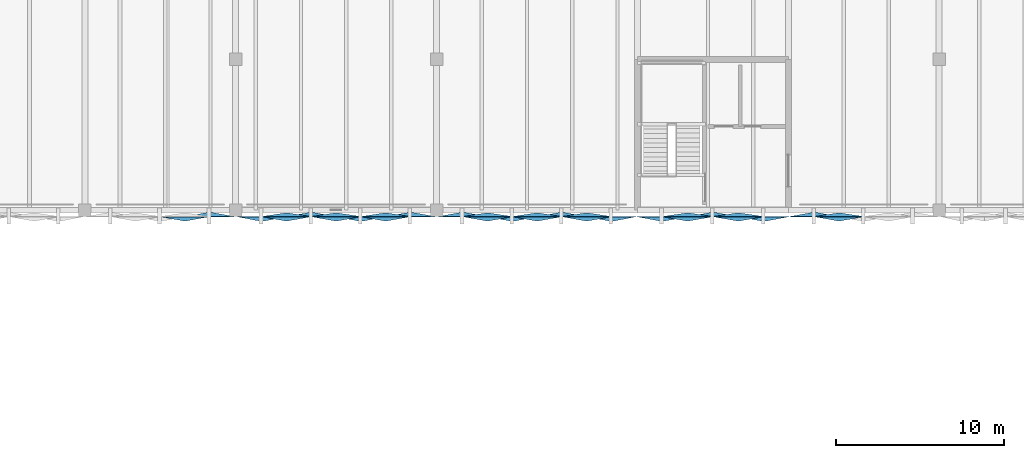
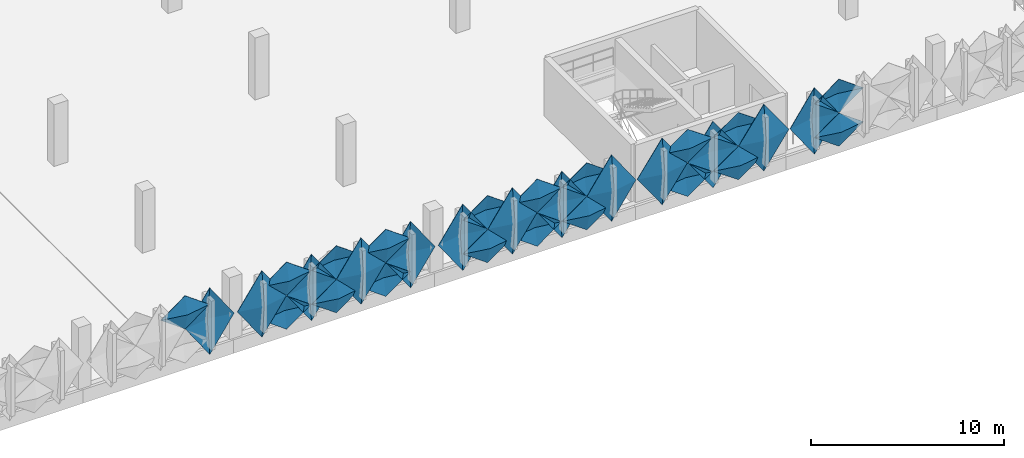
# One storey, part 55 of 76: 32 plates.
"""IFC4 building model written with IfcOpenShell, lengths in metres."""

from ifc_helpers import new_model, si_unit, derived_unit, direction, frame, origin, place, context, subcontext, project, spatial, polygons, material, layer, layer_set, type_object, element, save


model = new_model("IFC4")

# Units and contexts
model_context = context("Model", 3, precision=1e-05, world=origin(), true_north=direction((0.0, 1.0)))
body_context = subcontext(model_context, "Body", "Model", "MODEL_VIEW")
ifc_project = project(units=[si_unit("LENGTHUNIT", "METRE"), si_unit("AREAUNIT", "SQUARE_METRE"), si_unit("VOLUMEUNIT", "CUBIC_METRE"), si_unit("PLANEANGLEUNIT", "RADIAN"), si_unit("MASSUNIT", "GRAM", prefix="KILO"), si_unit("THERMODYNAMICTEMPERATUREUNIT", "KELVIN"), derived_unit("THERMALTRANSMITTANCEUNIT", [(si_unit("POWERUNIT", "WATT"), 1), (si_unit("AREAUNIT", "SQUARE_METRE"), -1), (si_unit("THERMODYNAMICTEMPERATUREUNIT", "KELVIN"), -1)])], contexts=[model_context])

# Site, building, storey
site_placement = place(None, origin())
site = spatial("IfcSite", under=ifc_project, at=site_placement, CompositionType="ELEMENT")
building_placement = place(site_placement, origin())
building = spatial("IfcBuilding", under=site, at=building_placement, Name="Haiyu Intermodal Mobility Hub", CompositionType="ELEMENT")
storey_placement = place(building_placement, frame((0.0, 0.0, 17.300048828125)))
storey = spatial("IfcBuildingStorey", under=building, at=storey_placement, Name="L04", CompositionType="ELEMENT", Elevation=17.300048828125)

# Plates
ifc_material = material(Name="Anodised aluminium 6063-T6", Category="aluminium")
ifc_layer_1 = layer(ifc_material, 0.01806640625)
ifc_layer_set_1 = layer_set([ifc_layer_1], Name="Anodised aluminium 6063-T6")
plate_type_1 = type_object("IfcPlateType", Name="PLT-FC01", PredefinedType="USERDEFINED", material=ifc_layer_set_1)
plate_1_placement = place(storey_placement, origin())
element("IfcPlate", 1, at=plate_1_placement, inside=storey, type_object=plate_type_1, Name="PLT-PYR-0875", ObjectType="FACADE CASSETTE", PredefinedType="USERDEFINED", context=body_context, shape_type="Tessellation", body=[
    polygons([(97.56005859375, 103.60009765625, -0.510009765625), (99.02001953125, 103.60009765625, 1.599853515625), (97.56005859375, 103.60009765625, 3.7099609375), (96.10009765625, 103.60009765625, 1.599853515625), (97.56005859375, 103.320068359375, 1.599853515625), (97.56005859375, 103.6220703125, -0.510009765625), (99.02001953125, 103.6220703125, 1.599853515625), (97.56005859375, 103.6220703125, 3.7099609375), (96.10009765625, 103.6220703125, 1.599853515625), (97.56005859375, 103.342041015625, 1.599853515625)], [[[1, 2, 5]], [[2, 3, 5]], [[3, 4, 5]], [[4, 1, 5]], [[7, 6, 10]], [[8, 7, 10]], [[9, 8, 10]], [[6, 9, 10]], [[1, 6, 7, 2]], [[2, 7, 8, 3]], [[3, 8, 9, 4]], [[4, 9, 6, 1]]], closed=True),
])
plate_2_placement = place(storey_placement, origin())
element("IfcPlate", 2, at=plate_2_placement, inside=storey, type_object=plate_type_1, Name="PLT-PYR-0879", ObjectType="FACADE CASSETTE", PredefinedType="USERDEFINED", context=body_context, shape_type="Tessellation", body=[
    polygons([(102.0, 103.60009765625, -0.52001953125), (103.4599609375, 103.60009765625, 0.530029296875), (102.0, 103.60009765625, 1.579833984375), (100.5400390625, 103.60009765625, 0.530029296875), (102.0, 103.340087890625, 0.530029296875), (102.0, 103.6220703125, -0.52001953125), (103.4599609375, 103.6220703125, 0.530029296875), (102.0, 103.6220703125, 1.579833984375), (100.5400390625, 103.6220703125, 0.530029296875), (102.0, 103.362060546875, 0.530029296875)], [[[1, 2, 5]], [[2, 3, 5]], [[3, 4, 5]], [[4, 1, 5]], [[7, 6, 10]], [[8, 7, 10]], [[9, 8, 10]], [[6, 9, 10]], [[1, 6, 7, 2]], [[2, 7, 8, 3]], [[3, 8, 9, 4]], [[4, 9, 6, 1]]], closed=True),
])
plate_3_placement = place(storey_placement, origin())
element("IfcPlate", 3, at=plate_3_placement, inside=storey, type_object=plate_type_1, Name="PLT-PYR-0926", ObjectType="FACADE CASSETTE", PredefinedType="USERDEFINED", context=body_context, shape_type="Tessellation", body=[
    polygons([(111.0400390625, 103.60009765625, -0.52001953125), (112.5, 103.60009765625, 0.530029296875), (111.0400390625, 103.60009765625, 1.579833984375), (109.580078125, 103.60009765625, 0.530029296875), (111.0400390625, 103.340087890625, 0.530029296875), (111.0400390625, 103.6220703125, -0.52001953125), (112.5, 103.6220703125, 0.530029296875), (111.0400390625, 103.6220703125, 1.579833984375), (109.580078125, 103.6220703125, 0.530029296875), (111.0400390625, 103.362060546875, 0.530029296875)], [[[1, 2, 5]], [[2, 3, 5]], [[3, 4, 5]], [[4, 1, 5]], [[7, 6, 10]], [[8, 7, 10]], [[9, 8, 10]], [[6, 9, 10]], [[1, 6, 7, 2]], [[2, 7, 8, 3]], [[3, 8, 9, 4]], [[4, 9, 6, 1]]], closed=True),
])
plate_4_placement = place(storey_placement, origin())
element("IfcPlate", 4, at=plate_4_placement, inside=storey, type_object=plate_type_1, Name="PLT-PYR-0932", ObjectType="FACADE CASSETTE", PredefinedType="USERDEFINED", context=body_context, shape_type="Tessellation", body=[
    polygons([(116.9599609375, 103.60009765625, -0.52001953125), (118.419921875, 103.60009765625, 0.530029296875), (116.9599609375, 103.60009765625, 1.579833984375), (115.5, 103.60009765625, 0.530029296875), (116.9599609375, 103.340087890625, 0.530029296875), (116.9599609375, 103.6220703125, -0.52001953125), (118.419921875, 103.6220703125, 0.530029296875), (116.9599609375, 103.6220703125, 1.579833984375), (115.5, 103.6220703125, 0.530029296875), (116.9599609375, 103.362060546875, 0.530029296875)], [[[1, 2, 5]], [[2, 3, 5]], [[3, 4, 5]], [[4, 1, 5]], [[7, 6, 10]], [[8, 7, 10]], [[9, 8, 10]], [[6, 9, 10]], [[1, 6, 7, 2]], [[2, 7, 8, 3]], [[3, 8, 9, 4]], [[4, 9, 6, 1]]], closed=True),
])
plate_5_placement = place(storey_placement, origin())
element("IfcPlate", 5, at=plate_5_placement, inside=storey, type_object=plate_type_1, Name="PLT-PYR-0967", ObjectType="FACADE CASSETTE", PredefinedType="USERDEFINED", context=body_context, shape_type="Tessellation", body=[
    polygons([(132.027099609375, 103.60009765625, -0.52001953125), (133.47998046875, 103.60009765625, 0.530029296875), (132.027099609375, 103.60009765625, 1.579833984375), (130.572998046875, 103.60009765625, 0.530029296875), (132.027099609375, 103.340087890625, 0.530029296875), (132.027099609375, 103.6220703125, -0.52001953125), (133.47998046875, 103.6220703125, 0.530029296875), (132.027099609375, 103.6220703125, 1.579833984375), (130.572998046875, 103.6220703125, 0.530029296875), (132.027099609375, 103.362060546875, 0.530029296875)], [[[1, 2, 5]], [[2, 3, 5]], [[3, 4, 5]], [[4, 1, 5]], [[7, 6, 10]], [[8, 7, 10]], [[9, 8, 10]], [[6, 9, 10]], [[1, 6, 7, 2]], [[2, 7, 8, 3]], [[3, 8, 9, 4]], [[4, 9, 6, 1]]], closed=True),
])
plate_6_placement = place(storey_placement, origin())
element("IfcPlate", 6, at=plate_6_placement, inside=storey, type_object=plate_type_1, Name="PLT-PYR-2239", ObjectType="FACADE CASSETTE", PredefinedType="USERDEFINED", context=body_context, shape_type="Tessellation", body=[
    polygons([(121.467041015625, 103.60009765625, -0.510009765625), (122.962890625, 103.60009765625, 1.599853515625), (121.467041015625, 103.60009765625, 3.7099609375), (119.969970703125, 103.60009765625, 1.599853515625), (121.467041015625, 103.320068359375, 1.599853515625), (121.467041015625, 103.6220703125, -0.510009765625), (122.962890625, 103.6220703125, 1.599853515625), (121.467041015625, 103.6220703125, 3.7099609375), (119.969970703125, 103.6220703125, 1.599853515625), (121.467041015625, 103.342041015625, 1.599853515625)], [[[1, 2, 5]], [[2, 3, 5]], [[3, 4, 5]], [[4, 1, 5]], [[7, 6, 10]], [[8, 7, 10]], [[9, 8, 10]], [[6, 9, 10]], [[1, 6, 7, 2]], [[2, 7, 8, 3]], [[3, 8, 9, 4]], [[4, 9, 6, 1]]], closed=True),
])
plate_7_placement = place(storey_placement, origin())
element("IfcPlate", 7, at=plate_7_placement, inside=storey, type_object=plate_type_1, Name="PLT-PYR-2243", ObjectType="FACADE CASSETTE", PredefinedType="USERDEFINED", context=body_context, shape_type="Tessellation", body=[
    polygons([(126.01708984375, 103.60009765625, -0.52001953125), (127.512939453125, 103.60009765625, 0.530029296875), (126.01708984375, 103.60009765625, 1.579833984375), (124.52001953125, 103.60009765625, 0.530029296875), (126.01708984375, 103.340087890625, 0.530029296875), (126.01708984375, 103.6220703125, -0.52001953125), (127.512939453125, 103.6220703125, 0.530029296875), (126.01708984375, 103.6220703125, 1.579833984375), (124.52001953125, 103.6220703125, 0.530029296875), (126.01708984375, 103.362060546875, 0.530029296875)], [[[1, 2, 5]], [[2, 3, 5]], [[3, 4, 5]], [[4, 1, 5]], [[7, 6, 10]], [[8, 7, 10]], [[9, 8, 10]], [[6, 9, 10]], [[1, 6, 7, 2]], [[2, 7, 8, 3]], [[3, 8, 9, 4]], [[4, 9, 6, 1]]], closed=True),
])
ifc_layer_2 = layer(ifc_material, 0.02001953125)
ifc_layer_set_2 = layer_set([ifc_layer_2], Name="Anodised aluminium 6063-T6")
plate_type_2 = type_object("IfcPlateType", Name="PLT-FC02", PredefinedType="USERDEFINED", material=ifc_layer_set_2)
plate_8_placement = place(storey_placement, origin())
element("IfcPlate", 8, at=plate_8_placement, inside=storey, type_object=plate_type_2, Name="PLT-PYR-0876", ObjectType="FACADE CASSETTE", PredefinedType="USERDEFINED", context=body_context, shape_type="Tessellation", body=[
    polygons([(99.0400390625, 103.60009765625, -0.52001953125), (100.5, 103.60009765625, 0.530029296875), (99.0400390625, 103.60009765625, 1.579833984375), (97.580078125, 103.60009765625, 0.530029296875), (99.0400390625, 103.820068359375, 0.530029296875), (99.0400390625, 103.6220703125, -0.52001953125), (100.5, 103.6220703125, 0.530029296875), (99.0400390625, 103.6220703125, 1.579833984375), (97.580078125, 103.6220703125, 0.530029296875), (99.0400390625, 103.842041015625, 0.530029296875)], [[[1, 2, 5]], [[2, 3, 5]], [[3, 4, 5]], [[4, 1, 5]], [[7, 6, 10]], [[8, 7, 10]], [[9, 8, 10]], [[6, 9, 10]], [[1, 6, 7, 2]], [[2, 7, 8, 3]], [[3, 8, 9, 4]], [[4, 9, 6, 1]]], closed=True),
])
plate_9_placement = place(storey_placement, origin())
element("IfcPlate", 9, at=plate_9_placement, inside=storey, type_object=plate_type_2, Name="PLT-PYR-0882", ObjectType="FACADE CASSETTE", PredefinedType="USERDEFINED", context=body_context, shape_type="Tessellation", body=[
    polygons([(104.9599609375, 103.60009765625, -0.52001953125), (106.419921875, 103.60009765625, 0.530029296875), (104.9599609375, 103.60009765625, 1.579833984375), (103.5, 103.60009765625, 0.530029296875), (104.9599609375, 103.820068359375, 0.530029296875), (104.9599609375, 103.6220703125, -0.52001953125), (106.419921875, 103.6220703125, 0.530029296875), (104.9599609375, 103.6220703125, 1.579833984375), (103.5, 103.6220703125, 0.530029296875), (104.9599609375, 103.842041015625, 0.530029296875)], [[[1, 2, 5]], [[2, 3, 5]], [[3, 4, 5]], [[4, 1, 5]], [[7, 6, 10]], [[8, 7, 10]], [[9, 8, 10]], [[6, 9, 10]], [[1, 6, 7, 2]], [[2, 7, 8, 3]], [[3, 8, 9, 4]], [[4, 9, 6, 1]]], closed=True),
])
plate_10_placement = place(storey_placement, origin())
element("IfcPlate", 10, at=plate_10_placement, inside=storey, type_object=plate_type_2, Name="PLT-PYR-0925", ObjectType="FACADE CASSETTE", PredefinedType="USERDEFINED", context=body_context, shape_type="Tessellation", body=[
    polygons([(109.56005859375, 103.60009765625, -0.510009765625), (111.02001953125, 103.60009765625, 1.599853515625), (109.56005859375, 103.60009765625, 3.7099609375), (108.10009765625, 103.60009765625, 1.599853515625), (109.56005859375, 103.860107421875, 1.599853515625), (109.56005859375, 103.6220703125, -0.510009765625), (111.02001953125, 103.6220703125, 1.599853515625), (109.56005859375, 103.6220703125, 3.7099609375), (108.10009765625, 103.6220703125, 1.599853515625), (109.56005859375, 103.882080078125, 1.599853515625)], [[[1, 2, 5]], [[2, 3, 5]], [[3, 4, 5]], [[4, 1, 5]], [[7, 6, 10]], [[8, 7, 10]], [[9, 8, 10]], [[6, 9, 10]], [[1, 6, 7, 2]], [[2, 7, 8, 3]], [[3, 8, 9, 4]], [[4, 9, 6, 1]]], closed=True),
])
plate_11_placement = place(storey_placement, origin())
element("IfcPlate", 11, at=plate_11_placement, inside=storey, type_object=plate_type_2, Name="PLT-PYR-0929", ObjectType="FACADE CASSETTE", PredefinedType="USERDEFINED", context=body_context, shape_type="Tessellation", body=[
    polygons([(114.0, 103.60009765625, -0.52001953125), (115.4599609375, 103.60009765625, 0.530029296875), (114.0, 103.60009765625, 1.579833984375), (112.5400390625, 103.60009765625, 0.530029296875), (114.0, 103.820068359375, 0.530029296875), (114.0, 103.6220703125, -0.52001953125), (115.4599609375, 103.6220703125, 0.530029296875), (114.0, 103.6220703125, 1.579833984375), (112.5400390625, 103.6220703125, 0.530029296875), (114.0, 103.842041015625, 0.530029296875)], [[[1, 2, 5]], [[2, 3, 5]], [[3, 4, 5]], [[4, 1, 5]], [[7, 6, 10]], [[8, 7, 10]], [[9, 8, 10]], [[6, 9, 10]], [[1, 6, 7, 2]], [[2, 7, 8, 3]], [[3, 8, 9, 4]], [[4, 9, 6, 1]]], closed=True),
])
plate_12_placement = place(storey_placement, origin())
element("IfcPlate", 12, at=plate_12_placement, inside=storey, type_object=plate_type_2, Name="PLT-PYR-0966", ObjectType="FACADE CASSETTE", PredefinedType="USERDEFINED", context=body_context, shape_type="Tessellation", body=[
    polygons([(130.552978515625, 103.60009765625, -0.510009765625), (132.007080078125, 103.60009765625, 1.599853515625), (130.552978515625, 103.60009765625, 3.7099609375), (129.10009765625, 103.60009765625, 1.599853515625), (130.552978515625, 103.860107421875, 1.599853515625), (130.552978515625, 103.6220703125, -0.510009765625), (132.007080078125, 103.6220703125, 1.599853515625), (130.552978515625, 103.6220703125, 3.7099609375), (129.10009765625, 103.6220703125, 1.599853515625), (130.552978515625, 103.882080078125, 1.599853515625)], [[[1, 2, 5]], [[2, 3, 5]], [[3, 4, 5]], [[4, 1, 5]], [[7, 6, 10]], [[8, 7, 10]], [[9, 8, 10]], [[6, 9, 10]], [[1, 6, 7, 2]], [[2, 7, 8, 3]], [[3, 8, 9, 4]], [[4, 9, 6, 1]]], closed=True),
])
plate_13_placement = place(storey_placement, origin())
element("IfcPlate", 13, at=plate_13_placement, inside=storey, type_object=plate_type_2, Name="PLT-PYR-2240", ObjectType="FACADE CASSETTE", PredefinedType="USERDEFINED", context=body_context, shape_type="Tessellation", body=[
    polygons([(122.98291015625, 103.60009765625, -0.52001953125), (124.47998046875, 103.60009765625, 0.530029296875), (122.98291015625, 103.60009765625, 1.579833984375), (121.487060546875, 103.60009765625, 0.530029296875), (122.98291015625, 103.820068359375, 0.530029296875), (122.98291015625, 103.6220703125, -0.52001953125), (124.47998046875, 103.6220703125, 0.530029296875), (122.98291015625, 103.6220703125, 1.579833984375), (121.487060546875, 103.6220703125, 0.530029296875), (122.98291015625, 103.842041015625, 0.530029296875)], [[[1, 2, 5]], [[2, 3, 5]], [[3, 4, 5]], [[4, 1, 5]], [[7, 6, 10]], [[8, 7, 10]], [[9, 8, 10]], [[6, 9, 10]], [[1, 6, 7, 2]], [[2, 7, 8, 3]], [[3, 8, 9, 4]], [[4, 9, 6, 1]]], closed=True),
])
ifc_layer_3 = layer(ifc_material, 0.01806640625)
ifc_layer_set_3 = layer_set([ifc_layer_3], Name="Anodised aluminium 6063-T6")
plate_type_3 = type_object("IfcPlateType", Name="PLT-FC03", PredefinedType="USERDEFINED", material=ifc_layer_set_3)
plate_14_placement = place(storey_placement, origin())
element("IfcPlate", 14, at=plate_14_placement, inside=storey, type_object=plate_type_3, Name="PLT-PYR-0836", ObjectType="FACADE CASSETTE", PredefinedType="USERDEFINED", context=body_context, shape_type="Tessellation", body=[
    polygons([(92.972900390625, 103.60009765625, 1.619873046875), (94.427001953125, 103.60009765625, 2.669921875), (92.972900390625, 103.60009765625, 3.719970703125), (91.52001953125, 103.60009765625, 2.669921875), (92.972900390625, 103.340087890625, 2.669921875), (92.972900390625, 103.6220703125, 1.619873046875), (94.427001953125, 103.6220703125, 2.669921875), (92.972900390625, 103.6220703125, 3.719970703125), (91.52001953125, 103.6220703125, 2.669921875), (92.972900390625, 103.362060546875, 2.669921875)], [[[1, 2, 5]], [[2, 3, 5]], [[3, 4, 5]], [[4, 1, 5]], [[7, 6, 10]], [[8, 7, 10]], [[9, 8, 10]], [[6, 9, 10]], [[1, 6, 7, 2]], [[2, 7, 8, 3]], [[3, 8, 9, 4]], [[4, 9, 6, 1]]], closed=True),
])
plate_15_placement = place(storey_placement, origin())
element("IfcPlate", 15, at=plate_15_placement, inside=storey, type_object=plate_type_3, Name="PLT-PYR-0877", ObjectType="FACADE CASSETTE", PredefinedType="USERDEFINED", context=body_context, shape_type="Tessellation", body=[
    polygons([(99.0400390625, 103.60009765625, 1.619873046875), (100.5, 103.60009765625, 2.669921875), (99.0400390625, 103.60009765625, 3.719970703125), (97.580078125, 103.60009765625, 2.669921875), (99.0400390625, 103.340087890625, 2.669921875), (99.0400390625, 103.6220703125, 1.619873046875), (100.5, 103.6220703125, 2.669921875), (99.0400390625, 103.6220703125, 3.719970703125), (97.580078125, 103.6220703125, 2.669921875), (99.0400390625, 103.362060546875, 2.669921875)], [[[1, 2, 5]], [[2, 3, 5]], [[3, 4, 5]], [[4, 1, 5]], [[7, 6, 10]], [[8, 7, 10]], [[9, 8, 10]], [[6, 9, 10]], [[1, 6, 7, 2]], [[2, 7, 8, 3]], [[3, 8, 9, 4]], [[4, 9, 6, 1]]], closed=True),
])
plate_16_placement = place(storey_placement, origin())
element("IfcPlate", 16, at=plate_16_placement, inside=storey, type_object=plate_type_3, Name="PLT-PYR-0883", ObjectType="FACADE CASSETTE", PredefinedType="USERDEFINED", context=body_context, shape_type="Tessellation", body=[
    polygons([(104.9599609375, 103.60009765625, 1.619873046875), (106.419921875, 103.60009765625, 2.669921875), (104.9599609375, 103.60009765625, 3.719970703125), (103.5, 103.60009765625, 2.669921875), (104.9599609375, 103.340087890625, 2.669921875), (104.9599609375, 103.6220703125, 1.619873046875), (106.419921875, 103.6220703125, 2.669921875), (104.9599609375, 103.6220703125, 3.719970703125), (103.5, 103.6220703125, 2.669921875), (104.9599609375, 103.362060546875, 2.669921875)], [[[1, 2, 5]], [[2, 3, 5]], [[3, 4, 5]], [[4, 1, 5]], [[7, 6, 10]], [[8, 7, 10]], [[9, 8, 10]], [[6, 9, 10]], [[1, 6, 7, 2]], [[2, 7, 8, 3]], [[3, 8, 9, 4]], [[4, 9, 6, 1]]], closed=True),
])
plate_17_placement = place(storey_placement, origin())
element("IfcPlate", 17, at=plate_17_placement, inside=storey, type_object=plate_type_3, Name="PLT-PYR-0928", ObjectType="FACADE CASSETTE", PredefinedType="USERDEFINED", context=body_context, shape_type="Tessellation", body=[
    polygons([(112.52001953125, 103.60009765625, -0.510009765625), (113.97998046875, 103.60009765625, 1.599853515625), (112.52001953125, 103.60009765625, 3.7099609375), (111.06005859375, 103.60009765625, 1.599853515625), (112.52001953125, 103.320068359375, 1.599853515625), (112.52001953125, 103.6220703125, -0.510009765625), (113.97998046875, 103.6220703125, 1.599853515625), (112.52001953125, 103.6220703125, 3.7099609375), (111.06005859375, 103.6220703125, 1.599853515625), (112.52001953125, 103.342041015625, 1.599853515625)], [[[1, 2, 5]], [[2, 3, 5]], [[3, 4, 5]], [[4, 1, 5]], [[7, 6, 10]], [[8, 7, 10]], [[9, 8, 10]], [[6, 9, 10]], [[1, 6, 7, 2]], [[2, 7, 8, 3]], [[3, 8, 9, 4]], [[4, 9, 6, 1]]], closed=True),
])
plate_18_placement = place(storey_placement, origin())
element("IfcPlate", 18, at=plate_18_placement, inside=storey, type_object=plate_type_3, Name="PLT-PYR-0930", ObjectType="FACADE CASSETTE", PredefinedType="USERDEFINED", context=body_context, shape_type="Tessellation", body=[
    polygons([(114.0, 103.60009765625, 1.619873046875), (115.4599609375, 103.60009765625, 2.669921875), (114.0, 103.60009765625, 3.719970703125), (112.5400390625, 103.60009765625, 2.669921875), (114.0, 103.340087890625, 2.669921875), (114.0, 103.6220703125, 1.619873046875), (115.4599609375, 103.6220703125, 2.669921875), (114.0, 103.6220703125, 3.719970703125), (112.5400390625, 103.6220703125, 2.669921875), (114.0, 103.362060546875, 2.669921875)], [[[1, 2, 5]], [[2, 3, 5]], [[3, 4, 5]], [[4, 1, 5]], [[7, 6, 10]], [[8, 7, 10]], [[9, 8, 10]], [[6, 9, 10]], [[1, 6, 7, 2]], [[2, 7, 8, 3]], [[3, 8, 9, 4]], [[4, 9, 6, 1]]], closed=True),
])
plate_19_placement = place(storey_placement, origin())
element("IfcPlate", 19, at=plate_19_placement, inside=storey, type_object=plate_type_3, Name="PLT-PYR-2241", ObjectType="FACADE CASSETTE", PredefinedType="USERDEFINED", context=body_context, shape_type="Tessellation", body=[
    polygons([(122.98291015625, 103.60009765625, 1.619873046875), (124.47998046875, 103.60009765625, 2.669921875), (122.98291015625, 103.60009765625, 3.719970703125), (121.487060546875, 103.60009765625, 2.669921875), (122.98291015625, 103.340087890625, 2.669921875), (122.98291015625, 103.6220703125, 1.619873046875), (124.47998046875, 103.6220703125, 2.669921875), (122.98291015625, 103.6220703125, 3.719970703125), (121.487060546875, 103.6220703125, 2.669921875), (122.98291015625, 103.362060546875, 2.669921875)], [[[1, 2, 5]], [[2, 3, 5]], [[3, 4, 5]], [[4, 1, 5]], [[7, 6, 10]], [[8, 7, 10]], [[9, 8, 10]], [[6, 9, 10]], [[1, 6, 7, 2]], [[2, 7, 8, 3]], [[3, 8, 9, 4]], [[4, 9, 6, 1]]], closed=True),
])
ifc_layer_4 = layer(ifc_material, 0.02001953125)
ifc_layer_set_4 = layer_set([ifc_layer_4], Name="Anodised aluminium 6063-T6")
plate_type_4 = type_object("IfcPlateType", Name="PLT-FC04", PredefinedType="USERDEFINED", material=ifc_layer_set_4)
plate_20_placement = place(storey_placement, origin())
element("IfcPlate", 20, at=plate_20_placement, inside=storey, type_object=plate_type_4, Name="PLT-PYR-0878", ObjectType="FACADE CASSETTE", PredefinedType="USERDEFINED", context=body_context, shape_type="Tessellation", body=[
    polygons([(100.52001953125, 103.60009765625, -0.510009765625), (101.97998046875, 103.60009765625, 1.599853515625), (100.52001953125, 103.60009765625, 3.7099609375), (99.06005859375, 103.60009765625, 1.599853515625), (100.52001953125, 103.860107421875, 1.599853515625), (100.52001953125, 103.6220703125, -0.510009765625), (101.97998046875, 103.6220703125, 1.599853515625), (100.52001953125, 103.6220703125, 3.7099609375), (99.06005859375, 103.6220703125, 1.599853515625), (100.52001953125, 103.882080078125, 1.599853515625)], [[[1, 2, 5]], [[2, 3, 5]], [[3, 4, 5]], [[4, 1, 5]], [[7, 6, 10]], [[8, 7, 10]], [[9, 8, 10]], [[6, 9, 10]], [[1, 6, 7, 2]], [[2, 7, 8, 3]], [[3, 8, 9, 4]], [[4, 9, 6, 1]]], closed=True),
])
plate_21_placement = place(storey_placement, origin())
element("IfcPlate", 21, at=plate_21_placement, inside=storey, type_object=plate_type_4, Name="PLT-PYR-0880", ObjectType="FACADE CASSETTE", PredefinedType="USERDEFINED", context=body_context, shape_type="Tessellation", body=[
    polygons([(102.0, 103.60009765625, 1.619873046875), (103.4599609375, 103.60009765625, 2.669921875), (102.0, 103.60009765625, 3.719970703125), (100.5400390625, 103.60009765625, 2.669921875), (102.0, 103.820068359375, 2.669921875), (102.0, 103.6220703125, 1.619873046875), (103.4599609375, 103.6220703125, 2.669921875), (102.0, 103.6220703125, 3.719970703125), (100.5400390625, 103.6220703125, 2.669921875), (102.0, 103.842041015625, 2.669921875)], [[[1, 2, 5]], [[2, 3, 5]], [[3, 4, 5]], [[4, 1, 5]], [[7, 6, 10]], [[8, 7, 10]], [[9, 8, 10]], [[6, 9, 10]], [[1, 6, 7, 2]], [[2, 7, 8, 3]], [[3, 8, 9, 4]], [[4, 9, 6, 1]]], closed=True),
])
plate_22_placement = place(storey_placement, origin())
element("IfcPlate", 22, at=plate_22_placement, inside=storey, type_object=plate_type_4, Name="PLT-PYR-0927", ObjectType="FACADE CASSETTE", PredefinedType="USERDEFINED", context=body_context, shape_type="Tessellation", body=[
    polygons([(111.0400390625, 103.60009765625, 1.619873046875), (112.5, 103.60009765625, 2.669921875), (111.0400390625, 103.60009765625, 3.719970703125), (109.580078125, 103.60009765625, 2.669921875), (111.0400390625, 103.820068359375, 2.669921875), (111.0400390625, 103.6220703125, 1.619873046875), (112.5, 103.6220703125, 2.669921875), (111.0400390625, 103.6220703125, 3.719970703125), (109.580078125, 103.6220703125, 2.669921875), (111.0400390625, 103.842041015625, 2.669921875)], [[[1, 2, 5]], [[2, 3, 5]], [[3, 4, 5]], [[4, 1, 5]], [[7, 6, 10]], [[8, 7, 10]], [[9, 8, 10]], [[6, 9, 10]], [[1, 6, 7, 2]], [[2, 7, 8, 3]], [[3, 8, 9, 4]], [[4, 9, 6, 1]]], closed=True),
])
plate_23_placement = place(storey_placement, origin())
element("IfcPlate", 23, at=plate_23_placement, inside=storey, type_object=plate_type_4, Name="PLT-PYR-0933", ObjectType="FACADE CASSETTE", PredefinedType="USERDEFINED", context=body_context, shape_type="Tessellation", body=[
    polygons([(116.9599609375, 103.60009765625, 1.619873046875), (118.419921875, 103.60009765625, 2.669921875), (116.9599609375, 103.60009765625, 3.719970703125), (115.5, 103.60009765625, 2.669921875), (116.9599609375, 103.820068359375, 2.669921875), (116.9599609375, 103.6220703125, 1.619873046875), (118.419921875, 103.6220703125, 2.669921875), (116.9599609375, 103.6220703125, 3.719970703125), (115.5, 103.6220703125, 2.669921875), (116.9599609375, 103.842041015625, 2.669921875)], [[[1, 2, 5]], [[2, 3, 5]], [[3, 4, 5]], [[4, 1, 5]], [[7, 6, 10]], [[8, 7, 10]], [[9, 8, 10]], [[6, 9, 10]], [[1, 6, 7, 2]], [[2, 7, 8, 3]], [[3, 8, 9, 4]], [[4, 9, 6, 1]]], closed=True),
])
plate_24_placement = place(storey_placement, origin())
element("IfcPlate", 24, at=plate_24_placement, inside=storey, type_object=plate_type_4, Name="PLT-PYR-0968", ObjectType="FACADE CASSETTE", PredefinedType="USERDEFINED", context=body_context, shape_type="Tessellation", body=[
    polygons([(132.027099609375, 103.60009765625, 1.619873046875), (133.47998046875, 103.60009765625, 2.669921875), (132.027099609375, 103.60009765625, 3.719970703125), (130.572998046875, 103.60009765625, 2.669921875), (132.027099609375, 103.820068359375, 2.669921875), (132.027099609375, 103.6220703125, 1.619873046875), (133.47998046875, 103.6220703125, 2.669921875), (132.027099609375, 103.6220703125, 3.719970703125), (130.572998046875, 103.6220703125, 2.669921875), (132.027099609375, 103.842041015625, 2.669921875)], [[[1, 2, 5]], [[2, 3, 5]], [[3, 4, 5]], [[4, 1, 5]], [[7, 6, 10]], [[8, 7, 10]], [[9, 8, 10]], [[6, 9, 10]], [[1, 6, 7, 2]], [[2, 7, 8, 3]], [[3, 8, 9, 4]], [[4, 9, 6, 1]]], closed=True),
])
plate_25_placement = place(storey_placement, origin())
element("IfcPlate", 25, at=plate_25_placement, inside=storey, type_object=plate_type_4, Name="PLT-PYR-2242", ObjectType="FACADE CASSETTE", PredefinedType="USERDEFINED", context=body_context, shape_type="Tessellation", body=[
    polygons([(124.5, 103.60009765625, -0.510009765625), (125.9970703125, 103.60009765625, 1.599853515625), (124.5, 103.60009765625, 3.7099609375), (123.0029296875, 103.60009765625, 1.599853515625), (124.5, 103.860107421875, 1.599853515625), (124.5, 103.6220703125, -0.510009765625), (125.9970703125, 103.6220703125, 1.599853515625), (124.5, 103.6220703125, 3.7099609375), (123.0029296875, 103.6220703125, 1.599853515625), (124.5, 103.882080078125, 1.599853515625)], [[[1, 2, 5]], [[2, 3, 5]], [[3, 4, 5]], [[4, 1, 5]], [[7, 6, 10]], [[8, 7, 10]], [[9, 8, 10]], [[6, 9, 10]], [[1, 6, 7, 2]], [[2, 7, 8, 3]], [[3, 8, 9, 4]], [[4, 9, 6, 1]]], closed=True),
])
plate_26_placement = place(storey_placement, origin())
element("IfcPlate", 26, at=plate_26_placement, inside=storey, type_object=plate_type_4, Name="PLT-PYR-2244", ObjectType="FACADE CASSETTE", PredefinedType="USERDEFINED", context=body_context, shape_type="Tessellation", body=[
    polygons([(126.01708984375, 103.60009765625, 1.619873046875), (127.512939453125, 103.60009765625, 2.669921875), (126.01708984375, 103.60009765625, 3.719970703125), (124.52001953125, 103.60009765625, 2.669921875), (126.01708984375, 103.820068359375, 2.669921875), (126.01708984375, 103.6220703125, 1.619873046875), (127.512939453125, 103.6220703125, 2.669921875), (126.01708984375, 103.6220703125, 3.719970703125), (124.52001953125, 103.6220703125, 2.669921875), (126.01708984375, 103.842041015625, 2.669921875)], [[[1, 2, 5]], [[2, 3, 5]], [[3, 4, 5]], [[4, 1, 5]], [[7, 6, 10]], [[8, 7, 10]], [[9, 8, 10]], [[6, 9, 10]], [[1, 6, 7, 2]], [[2, 7, 8, 3]], [[3, 8, 9, 4]], [[4, 9, 6, 1]]], closed=True),
])
ifc_layer_5 = layer(ifc_material, 0.01806640625)
ifc_layer_set_5 = layer_set([ifc_layer_5], Name="Anodised aluminium 6063-T6")
plate_type_5 = type_object("IfcPlateType", Name="PLT-FC05", PredefinedType="USERDEFINED", material=ifc_layer_set_5)
plate_27_placement = place(storey_placement, origin())
element("IfcPlate", 27, at=plate_27_placement, inside=storey, type_object=plate_type_5, Name="PLT-PYR-0881", ObjectType="FACADE CASSETTE", PredefinedType="USERDEFINED", context=body_context, shape_type="Tessellation", body=[
    polygons([(103.47998046875, 103.60009765625, -0.510009765625), (104.93994140625, 103.60009765625, 1.599853515625), (103.47998046875, 103.60009765625, 3.7099609375), (102.02001953125, 103.60009765625, 1.599853515625), (103.47998046875, 103.320068359375, 1.599853515625), (103.47998046875, 103.6220703125, -0.510009765625), (104.93994140625, 103.6220703125, 1.599853515625), (103.47998046875, 103.6220703125, 3.7099609375), (102.02001953125, 103.6220703125, 1.599853515625), (103.47998046875, 103.342041015625, 1.599853515625)], [[[1, 2, 5]], [[2, 3, 5]], [[3, 4, 5]], [[4, 1, 5]], [[7, 6, 10]], [[8, 7, 10]], [[9, 8, 10]], [[6, 9, 10]], [[1, 6, 7, 2]], [[2, 7, 8, 3]], [[3, 8, 9, 4]], [[4, 9, 6, 1]]], closed=True),
])
plate_28_placement = place(storey_placement, origin())
element("IfcPlate", 28, at=plate_28_placement, inside=storey, type_object=plate_type_5, Name="PLT-PYR-2245", ObjectType="FACADE CASSETTE", PredefinedType="USERDEFINED", context=body_context, shape_type="Tessellation", body=[
    polygons([(127.532958984375, 103.60009765625, -0.510009765625), (129.030029296875, 103.60009765625, 1.599853515625), (127.532958984375, 103.60009765625, 3.7099609375), (126.037109375, 103.60009765625, 1.599853515625), (127.532958984375, 103.320068359375, 1.599853515625), (127.532958984375, 103.6220703125, -0.510009765625), (129.030029296875, 103.6220703125, 1.599853515625), (127.532958984375, 103.6220703125, 3.7099609375), (126.037109375, 103.6220703125, 1.599853515625), (127.532958984375, 103.342041015625, 1.599853515625)], [[[1, 2, 5]], [[2, 3, 5]], [[3, 4, 5]], [[4, 1, 5]], [[7, 6, 10]], [[8, 7, 10]], [[9, 8, 10]], [[6, 9, 10]], [[1, 6, 7, 2]], [[2, 7, 8, 3]], [[3, 8, 9, 4]], [[4, 9, 6, 1]]], closed=True),
])
ifc_layer_6 = layer(ifc_material, 0.02001953125)
ifc_layer_set_6 = layer_set([ifc_layer_6], Name="Anodised aluminium 6063-T6")
plate_type_6 = type_object("IfcPlateType", Name="PLT-FC06", PredefinedType="USERDEFINED", material=ifc_layer_set_6)
plate_29_placement = place(storey_placement, origin())
element("IfcPlate", 29, at=plate_29_placement, inside=storey, type_object=plate_type_6, Name="PLT-PYR-0837", ObjectType="FACADE CASSETTE", PredefinedType="USERDEFINED", context=body_context, shape_type="Tessellation", body=[
    polygons([(94.447021484375, 103.60009765625, -0.510009765625), (95.89990234375, 103.60009765625, 1.599853515625), (94.447021484375, 103.60009765625, 3.7099609375), (92.992919921875, 103.60009765625, 1.599853515625), (94.447021484375, 103.860107421875, 1.599853515625), (94.447021484375, 103.6220703125, -0.510009765625), (95.89990234375, 103.6220703125, 1.599853515625), (94.447021484375, 103.6220703125, 3.7099609375), (92.992919921875, 103.6220703125, 1.599853515625), (94.447021484375, 103.882080078125, 1.599853515625)], [[[1, 2, 5]], [[2, 3, 5]], [[3, 4, 5]], [[4, 1, 5]], [[7, 6, 10]], [[8, 7, 10]], [[9, 8, 10]], [[6, 9, 10]], [[1, 6, 7, 2]], [[2, 7, 8, 3]], [[3, 8, 9, 4]], [[4, 9, 6, 1]]], closed=True),
])
plate_30_placement = place(storey_placement, origin())
element("IfcPlate", 30, at=plate_30_placement, inside=storey, type_object=plate_type_6, Name="PLT-PYR-0931", ObjectType="FACADE CASSETTE", PredefinedType="USERDEFINED", context=body_context, shape_type="Tessellation", body=[
    polygons([(115.47998046875, 103.60009765625, -0.510009765625), (116.93994140625, 103.60009765625, 1.599853515625), (115.47998046875, 103.60009765625, 3.7099609375), (114.02001953125, 103.60009765625, 1.599853515625), (115.47998046875, 103.860107421875, 1.599853515625), (115.47998046875, 103.6220703125, -0.510009765625), (116.93994140625, 103.6220703125, 1.599853515625), (115.47998046875, 103.6220703125, 3.7099609375), (114.02001953125, 103.6220703125, 1.599853515625), (115.47998046875, 103.882080078125, 1.599853515625)], [[[1, 2, 5]], [[2, 3, 5]], [[3, 4, 5]], [[4, 1, 5]], [[7, 6, 10]], [[8, 7, 10]], [[9, 8, 10]], [[6, 9, 10]], [[1, 6, 7, 2]], [[2, 7, 8, 3]], [[3, 8, 9, 4]], [[4, 9, 6, 1]]], closed=True),
])
ifc_layer_7 = layer(ifc_material, 0.02197265625)
ifc_layer_set_7 = layer_set([ifc_layer_7], Name="Anodised aluminium 6063-T6")
plate_type_7 = type_object("IfcPlateType", Name="PLT-FC07", PredefinedType="USERDEFINED", material=ifc_layer_set_7)
plate_31_placement = place(storey_placement, origin())
element("IfcPlate", 31, at=plate_31_placement, inside=storey, type_object=plate_type_7, Name="PLT-PYR-0934", ObjectType="FACADE CASSETTE", PredefinedType="USERDEFINED", context=body_context, shape_type="Tessellation", body=[
    polygons([(118.43994140625, 103.60009765625, -0.510009765625), (119.89990234375, 103.60009765625, 1.599853515625), (118.43994140625, 103.60009765625, 3.7099609375), (116.97998046875, 103.60009765625, 1.599853515625), (118.43994140625, 103.320068359375, 1.599853515625), (118.43994140625, 103.6220703125, -0.510009765625), (119.89990234375, 103.6220703125, 1.599853515625), (118.43994140625, 103.6220703125, 3.7099609375), (116.97998046875, 103.6220703125, 1.599853515625), (118.43994140625, 103.342041015625, 1.599853515625)], [[[1, 2, 5]], [[2, 3, 5]], [[3, 4, 5]], [[4, 1, 5]], [[7, 6, 10]], [[8, 7, 10]], [[9, 8, 10]], [[6, 9, 10]], [[1, 6, 7, 2]], [[2, 7, 8, 3]], [[3, 8, 9, 4]], [[4, 9, 6, 1]]], closed=True),
])
ifc_layer_8 = layer(ifc_material, 0.02392578125)
ifc_layer_set_8 = layer_set([ifc_layer_8], Name="Anodised aluminium 6063-T6")
plate_type_8 = type_object("IfcPlateType", Name="PLT-FC08", PredefinedType="USERDEFINED", material=ifc_layer_set_8)
plate_32_placement = place(storey_placement, origin())
element("IfcPlate", 32, at=plate_32_placement, inside=storey, type_object=plate_type_8, Name="PLT-PYR-0884", ObjectType="FACADE CASSETTE", PredefinedType="USERDEFINED", context=body_context, shape_type="Tessellation", body=[
    polygons([(106.43994140625, 103.60009765625, -0.510009765625), (107.89990234375, 103.60009765625, 1.599853515625), (106.43994140625, 103.60009765625, 3.7099609375), (104.97998046875, 103.60009765625, 1.599853515625), (106.43994140625, 103.860107421875, 1.599853515625), (106.43994140625, 103.6220703125, -0.510009765625), (107.89990234375, 103.6220703125, 1.599853515625), (106.43994140625, 103.6220703125, 3.7099609375), (104.97998046875, 103.6220703125, 1.599853515625), (106.43994140625, 103.882080078125, 1.599853515625)], [[[1, 2, 5]], [[2, 3, 5]], [[3, 4, 5]], [[4, 1, 5]], [[7, 6, 10]], [[8, 7, 10]], [[9, 8, 10]], [[6, 9, 10]], [[1, 6, 7, 2]], [[2, 7, 8, 3]], [[3, 8, 9, 4]], [[4, 9, 6, 1]]], closed=True),
])

save(model, "model.ifc")
